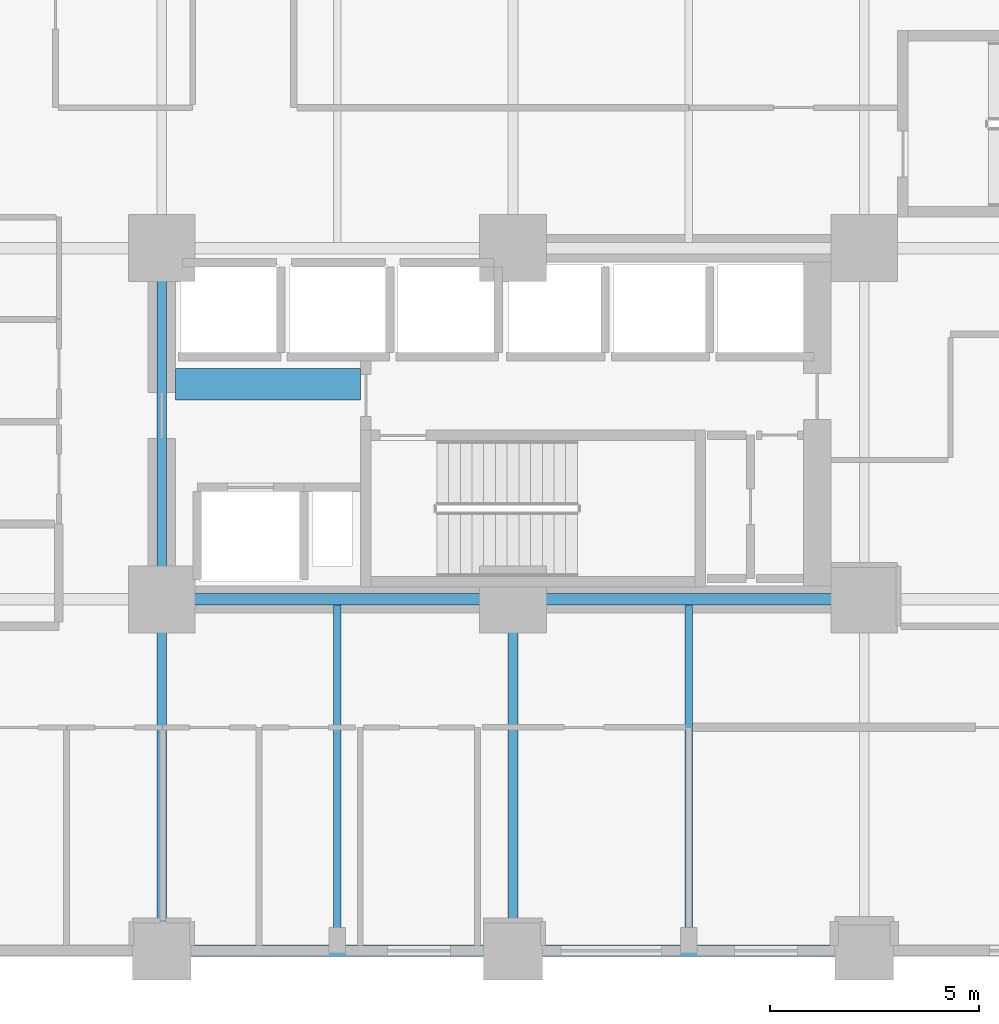
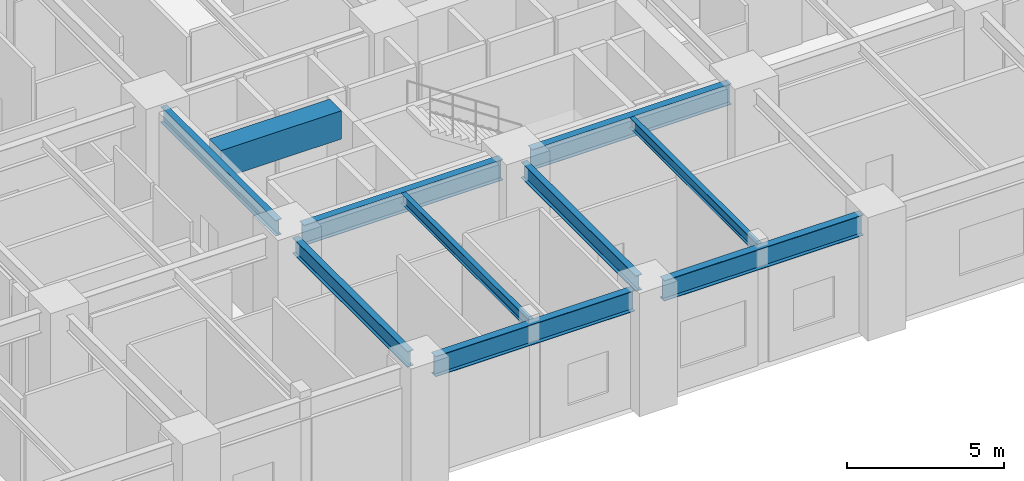
# One storey, part 3 of 24: 10 beams.
"""IFC4 building model written with IfcOpenShell, lengths in metres."""

from ifc_helpers import new_model, si_unit, direction, frame, origin, origin_2d, place, context, subcontext, project, spatial, rectangle, i_section, extrude, material, material_profile, profile_set, type_object, element, save


model = new_model("IFC4")

# Units and contexts
model_context = context("Model", 3, precision=1e-05, world=origin(), true_north=direction((0.0, 1.0)))
body_context = subcontext(model_context, "Body", "Model", "MODEL_VIEW")
ifc_project = project(units=[si_unit("LENGTHUNIT", "METRE"), si_unit("AREAUNIT", "SQUARE_METRE"), si_unit("VOLUMEUNIT", "CUBIC_METRE"), si_unit("PLANEANGLEUNIT", "RADIAN"), si_unit("MASSUNIT", "GRAM", prefix="KILO")], contexts=[model_context])

# Site, building, storey
site_placement = place(None, origin())
site = spatial("IfcSite", under=ifc_project, at=site_placement, CompositionType="ELEMENT")
building_placement = place(site_placement, origin())
building = spatial("IfcBuilding", under=site, at=building_placement, Name="Nerrivon Quay Data Exchange", CompositionType="ELEMENT")
storey_placement = place(building_placement, frame((0.0, 0.0, 10.199951171875)))
storey = spatial("IfcBuildingStorey", under=building, at=storey_placement, Name="L02", CompositionType="ELEMENT", Elevation=10.199951171875)

# Beams
ifc_material_1 = material(Name="Concrete S65 (65 MPa)", Category="concrete")
ifc_material_profile_1 = material_profile(ifc_material_1, rectangle(XDim=0.75, YDim=1.10009765625, at=origin_2d()), Name="RC-CB-750x1100")
ifc_profile_set_1 = profile_set([ifc_material_profile_1], Name="Concrete S65 (65 MPa)")
beam_type_1 = type_object("IfcBeamType", Name="BM-CB1-750x1100", PredefinedType="LINTEL", material=ifc_profile_set_1)
beam_1_placement = place(storey_placement, frame((17.125, 13.550048828125, 3.97509765625), z_axis=(1.0, 0.0, 0.0), x_axis=(0.0, 1.0, 0.0)))
element("IfcBeam", 1, at=beam_1_placement, inside=storey, type_object=beam_type_1, Name="L02 East Core Coupling Beam", PredefinedType="LINTEL", context=body_context, shape_type="SweptSolid", body=[
    extrude(rectangle(XDim=0.75, YDim=1.10009765625, at=origin_2d()), origin(), (0.0, 0.0, 1.0), 4.429931640625),
])
ifc_material_2 = material(Name="Steel Grade 350", Category="steel")
ifc_material_profile_2 = material_profile(ifc_material_2, i_section(OverallWidth=0.22900390625, OverallDepth=0.612060546875, WebThickness=0.011962890625, FlangeThickness=0.01953125, FilletRadius=0.013916015625, at=origin_2d()), Name="610UB125")
ifc_profile_set_2 = profile_set([ifc_material_profile_2], Name="Steel Grade 350")
beam_type_2 = type_object("IfcBeamType", Name="BM-G1-610UB125", PredefinedType="BEAM", material=ifc_profile_set_2)
for number, where, z_axis, x_axis, name in (
    (2, (16.800048828125, 0.5400390625, 4.218994140625), (0.0, 1.0, 0.0), (-1.0, 0.0, 0.0), "L02 NS Girder X=16.8 (0.0..8.4)"),
    (3, (16.800048828125, 8.93994140625, 4.218994140625), (0.0, 1.0, 0.0), (-1.0, 0.0, 0.0), "L02 NS Girder X=16.8 (8.4..16.8)"),
    (4, (25.199951171875, 0.5400390625, 4.218994140625), (0.0, 1.0, 0.0), (-1.0, 0.0, 0.0), "L02 NS Girder X=25.2 (0.0..8.4)"),
):
    element("IfcBeam", number, at=place(storey_placement, frame(where, z_axis=z_axis, x_axis=x_axis)), inside=storey, type_object=beam_type_2, Name=name, PredefinedType="BEAM", context=body_context, shape_type="SweptSolid", body=[
        extrude(i_section(OverallWidth=0.22900390625, OverallDepth=0.612060546875, WebThickness=0.011962890625, FlangeThickness=0.01953125, FilletRadius=0.013916015625, at=origin_2d()), origin(), (0.0, 0.0, 1.0), 7.320068359375),
    ])
ifc_material_profile_3 = material_profile(ifc_material_2, i_section(OverallWidth=0.27490234375, OverallDepth=0.800048828125, WebThickness=0.010009765625, FlangeThickness=0.02001953125, at=origin_2d()), Name="800WB146")
ifc_profile_set_3 = profile_set([ifc_material_profile_3], Name="Steel Grade 350")
beam_type_3 = type_object("IfcBeamType", Name="BM-G8-800WB146", PredefinedType="BEAM", material=ifc_profile_set_3)
beam_2_placement = place(storey_placement, frame((17.340087890625, 0.0, 4.125), z_axis=(1.0, 0.0, 0.0), x_axis=(0.0, 1.0, 0.0)))
element("IfcBeam", 5, at=beam_2_placement, inside=storey, type_object=beam_type_3, Name="L02 EW Girder Y=0.0 (16.8..25.2)", PredefinedType="BEAM", context=body_context, shape_type="SweptSolid", body=[
    extrude(i_section(OverallWidth=0.27490234375, OverallDepth=0.800048828125, WebThickness=0.010009765625, FlangeThickness=0.02001953125, at=origin_2d()), origin(), (0.0, 0.0, 1.0), 7.31982421875),
])
beam_3_placement = place(storey_placement, frame((25.739990234375, 0.0, 4.125), z_axis=(1.0, 0.0, 0.0), x_axis=(0.0, 1.0, 0.0)))
element("IfcBeam", 6, at=beam_3_placement, inside=storey, type_object=beam_type_3, Name="L02 EW Girder Y=0.0 (25.2..33.6)", PredefinedType="BEAM", context=body_context, shape_type="SweptSolid", body=[
    extrude(i_section(OverallWidth=0.27490234375, OverallDepth=0.800048828125, WebThickness=0.010009765625, FlangeThickness=0.02001953125, at=origin_2d()), origin(), (0.0, 0.0, 1.0), 7.320068359375),
])
beam_4_placement = place(storey_placement, frame((17.340087890625, 8.39990234375, 4.125), z_axis=(1.0, 0.0, 0.0), x_axis=(0.0, 1.0, 0.0)))
element("IfcBeam", 7, at=beam_4_placement, inside=storey, type_object=beam_type_3, Name="L02 EW Girder Y=8.4 (16.8..25.2)", PredefinedType="BEAM", context=body_context, shape_type="SweptSolid", body=[
    extrude(i_section(OverallWidth=0.27490234375, OverallDepth=0.800048828125, WebThickness=0.010009765625, FlangeThickness=0.02001953125, at=origin_2d()), origin(), (0.0, 0.0, 1.0), 7.31982421875),
])
beam_5_placement = place(storey_placement, frame((25.739990234375, 8.39990234375, 4.125), z_axis=(1.0, 0.0, 0.0), x_axis=(0.0, 1.0, 0.0)))
element("IfcBeam", 8, at=beam_5_placement, inside=storey, type_object=beam_type_3, Name="L02 EW Girder Y=8.4 (25.2..33.6)", PredefinedType="BEAM", context=body_context, shape_type="SweptSolid", body=[
    extrude(i_section(OverallWidth=0.27490234375, OverallDepth=0.800048828125, WebThickness=0.010009765625, FlangeThickness=0.02001953125, at=origin_2d()), origin(), (0.0, 0.0, 1.0), 7.320068359375),
])
ifc_material_profile_4 = material_profile(ifc_material_2, i_section(OverallWidth=0.177978515625, OverallDepth=0.403076171875, WebThickness=0.007568359375, FlangeThickness=0.010986328125, FilletRadius=0.011474609375, at=origin_2d()), Name="410UB53.7")
ifc_profile_set_4 = profile_set([ifc_material_profile_4], Name="Steel Grade 350")
beam_type_4 = type_object("IfcBeamType", Name="BM-J2-410UB54", PredefinedType="JOIST", material=ifc_profile_set_4)
for number, where, z_axis, x_axis, name in (
    (9, (21.0, 0.137451171875, 4.323486328125), (0.0, 1.0, 0.0), (-1.0, 0.0, 0.0), "L02 Secondary Joist X=21.0 (0.0..8.4)"),
    (10, (29.39990234375, 0.137451171875, 4.323486328125), (0.0, 1.0, 0.0), (-1.0, 0.0, 0.0), "L02 Secondary Joist X=29.4 (0.0..8.4)"),
):
    element("IfcBeam", number, at=place(storey_placement, frame(where, z_axis=z_axis, x_axis=x_axis)), inside=storey, type_object=beam_type_4, Name=name, PredefinedType="JOIST", context=body_context, shape_type="SweptSolid", body=[
        extrude(i_section(OverallWidth=0.177978515625, OverallDepth=0.403076171875, WebThickness=0.007568359375, FlangeThickness=0.010986328125, FilletRadius=0.011474609375, at=origin_2d()), origin(), (0.0, 0.0, 1.0), 8.125),
    ])

save(model, "model.ifc")
